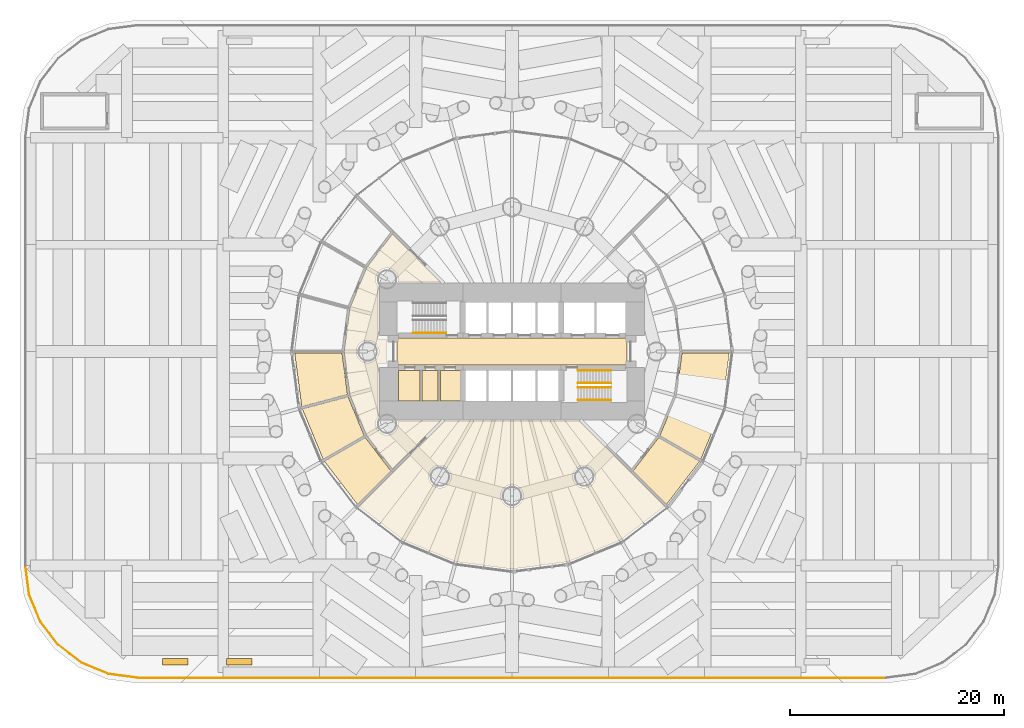
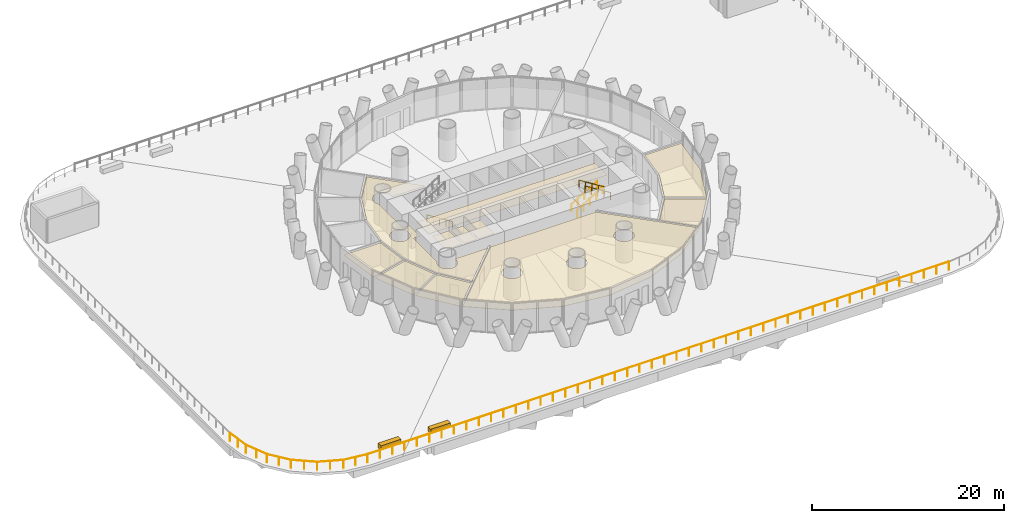
# One storey, part 17 of 19: 13 coverings, 6 railings.
"""IFC4 building model written with IfcOpenShell, lengths in metres."""

from ifc_helpers import new_model, si_unit, direction, frame, origin, origin_2d, place, context, subcontext, project, spatial, polyline, rectangle, circle, outline, extrude, material, layer, layer_set, type_object, element, save


model = new_model("IFC4")

# Units and contexts
model_context = context("Model", 3, precision=1e-05, world=origin(), true_north=direction((0.0, 1.0)))
body_context = subcontext(model_context, "Body", "Model", "MODEL_VIEW")
ifc_project = project(units=[si_unit("LENGTHUNIT", "METRE"), si_unit("AREAUNIT", "SQUARE_METRE"), si_unit("VOLUMEUNIT", "CUBIC_METRE"), si_unit("PLANEANGLEUNIT", "RADIAN"), si_unit("MASSUNIT", "GRAM", prefix="KILO")], contexts=[model_context])

# Site, building, storey
site_placement = place(None, origin())
site = spatial("IfcSite", under=ifc_project, at=site_placement, CompositionType="ELEMENT")
building_placement = place(site_placement, origin())
building = spatial("IfcBuilding", under=site, at=building_placement, Name="Qaws Media Tower", CompositionType="ELEMENT")
storey_placement = place(building_placement, frame((0.0, 0.0, 26.0)))
storey = spatial("IfcBuildingStorey", under=building, at=storey_placement, Name="L04", CompositionType="ELEMENT", Elevation=26.0)

# Coverings
ifc_material_1 = material(Name="40 perforated acoustic panels with mineral wool backing, suspended", Category="mineral fibre")
ifc_layer_1 = layer(ifc_material_1, 0.0400390625)
ifc_layer_set_1 = layer_set([ifc_layer_1], Name="Acoustic panel ceiling 40")
covering_type_1 = type_object("IfcCoveringType", Name="Acoustic panel ceiling 40", PredefinedType="CEILING", material=ifc_layer_set_1)
covering_1_placement = place(storey_placement, frame((0.0, 0.0, 2.85009765625)))
element("IfcCovering", 1, at=covering_1_placement, inside=storey, type_object=covering_type_1, Name="CL3 ceiling L04-10 Digital desk", PredefinedType="CEILING", context=body_context, shape_type="SweptSolid", body=[
    extrude(outline(polyline([(66.353515625, 43.487548828125), (74.289306640625, 35.5517578125), (70.16748046875, 32.38916015625), (65.26318359375, 30.357666015625), (60.0, 29.664794921875), (54.73681640625, 30.357666015625), (49.83251953125, 32.38916015625), (45.710693359375, 35.5517578125), (53.646484375, 43.487548828125), (66.353515625, 43.487548828125)]), holes=[polyline([(54.27392578125, 38.0341796875), (54.30078125, 38.17041015625), (54.31005859375, 38.30859375), (54.30078125, 38.447021484375), (54.27392578125, 38.5830078125), (54.229248046875, 38.71435546875), (54.16796875, 38.838623046875), (54.091064453125, 38.953857421875), (53.99951171875, 39.05810546875), (53.895263671875, 39.149658203125), (53.780029296875, 39.2265625), (53.655517578125, 39.2880859375), (53.5244140625, 39.33251953125), (53.388427734375, 39.359619140625), (53.25, 39.36865234375), (53.111572265625, 39.359619140625), (52.9755859375, 39.33251953125), (52.844482421875, 39.2880859375), (52.719970703125, 39.2265625), (52.604736328125, 39.149658203125), (52.50048828125, 39.05810546875), (52.408935546875, 38.953857421875), (52.33203125, 38.838623046875), (52.270751953125, 38.71435546875), (52.22607421875, 38.5830078125), (52.19921875, 38.447021484375), (52.18994140625, 38.30859375), (52.19921875, 38.17041015625), (52.22607421875, 38.0341796875), (52.270751953125, 37.903076171875), (52.33203125, 37.77880859375), (52.408935546875, 37.663330078125), (52.50048828125, 37.55908203125), (52.604736328125, 37.4677734375), (52.719970703125, 37.390625), (52.844482421875, 37.329345703125), (52.9755859375, 37.284912109375), (53.111572265625, 37.2578125), (53.25, 37.248779296875), (53.388427734375, 37.2578125), (53.5244140625, 37.284912109375), (53.655517578125, 37.329345703125), (53.780029296875, 37.390625), (53.895263671875, 37.4677734375), (53.99951171875, 37.55908203125), (54.091064453125, 37.663330078125), (54.16796875, 37.77880859375), (54.229248046875, 37.903076171875), (54.27392578125, 38.0341796875)]), polyline([(61.02392578125, 36.2255859375), (61.05078125, 36.361572265625), (61.06005859375, 36.5), (61.05078125, 36.638427734375), (61.02392578125, 36.7744140625), (60.979248046875, 36.905517578125), (60.91796875, 37.030029296875), (60.841064453125, 37.145263671875), (60.74951171875, 37.24951171875), (60.645263671875, 37.341064453125), (60.530029296875, 37.41796875), (60.405517578125, 37.479248046875), (60.2744140625, 37.52392578125), (60.138427734375, 37.55078125), (60.0, 37.56005859375), (59.861572265625, 37.55078125), (59.7255859375, 37.52392578125), (59.594482421875, 37.479248046875), (59.469970703125, 37.41796875), (59.354736328125, 37.341064453125), (59.25048828125, 37.24951171875), (59.158935546875, 37.145263671875), (59.08203125, 37.030029296875), (59.020751953125, 36.905517578125), (58.97607421875, 36.7744140625), (58.94921875, 36.638427734375), (58.93994140625, 36.5), (58.94921875, 36.361572265625), (58.97607421875, 36.2255859375), (59.020751953125, 36.094482421875), (59.08203125, 35.969970703125), (59.158935546875, 35.854736328125), (59.25048828125, 35.75048828125), (59.354736328125, 35.658935546875), (59.469970703125, 35.58203125), (59.594482421875, 35.520751953125), (59.7255859375, 35.47607421875), (59.861572265625, 35.44921875), (60.0, 35.43994140625), (60.138427734375, 35.44921875), (60.2744140625, 35.47607421875), (60.405517578125, 35.520751953125), (60.530029296875, 35.58203125), (60.645263671875, 35.658935546875), (60.74951171875, 35.75048828125), (60.841064453125, 35.854736328125), (60.91796875, 35.969970703125), (60.979248046875, 36.094482421875), (61.02392578125, 36.2255859375)]), polyline([(67.729248046875, 37.903076171875), (67.77392578125, 38.0341796875), (67.80078125, 38.17041015625), (67.81005859375, 38.30859375), (67.80078125, 38.447021484375), (67.77392578125, 38.5830078125), (67.729248046875, 38.71435546875), (67.66796875, 38.838623046875), (67.591064453125, 38.953857421875), (67.49951171875, 39.05810546875), (67.395263671875, 39.149658203125), (67.280029296875, 39.2265625), (67.155517578125, 39.2880859375), (67.0244140625, 39.33251953125), (66.888427734375, 39.359619140625), (66.75, 39.36865234375), (66.611572265625, 39.359619140625), (66.4755859375, 39.33251953125), (66.344482421875, 39.2880859375), (66.219970703125, 39.2265625), (66.104736328125, 39.149658203125), (66.00048828125, 39.05810546875), (65.908935546875, 38.953857421875), (65.83203125, 38.838623046875), (65.770751953125, 38.71435546875), (65.72607421875, 38.5830078125), (65.69921875, 38.447021484375), (65.68994140625, 38.30859375), (65.69921875, 38.17041015625), (65.72607421875, 38.0341796875), (65.770751953125, 37.903076171875), (65.83203125, 37.77880859375), (65.908935546875, 37.663330078125), (66.00048828125, 37.55908203125), (66.104736328125, 37.4677734375), (66.219970703125, 37.390625), (66.344482421875, 37.329345703125), (66.4755859375, 37.284912109375), (66.611572265625, 37.2578125), (66.75, 37.248779296875), (66.888427734375, 37.2578125), (67.0244140625, 37.284912109375), (67.155517578125, 37.329345703125), (67.280029296875, 37.390625), (67.395263671875, 37.4677734375), (67.49951171875, 37.55908203125), (67.591064453125, 37.663330078125), (67.66796875, 37.77880859375), (67.729248046875, 37.903076171875)])]), origin(), (0.0, 0.0, 1.0), 0.039794921875),
])
covering_2_placement = place(storey_placement, frame((0.0, 0.0, 2.85009765625)))
element("IfcCovering", 2, at=covering_2_placement, inside=storey, type_object=covering_type_1, Name="CL3 ceiling L04-12 Newsroom cafe", PredefinedType="CEILING", context=body_context, shape_type="SweptSolid", body=[
    extrude(outline(polyline([(79.642333984375, 44.73681640625), (77.654296875, 39.937255859375), (73.824951171875, 42.148193359375), (75.37109375, 45.88134765625), (75.898681640625, 49.887451171875), (80.3203125, 49.887451171875), (79.642333984375, 44.73681640625)])), origin(), (0.0, 0.0, 1.0), 0.039794921875),
])

# Railing
ifc_material_2 = material(Name="Stainless steel and glass guard", Category="steel")
railing_type_1 = type_object("IfcRailingType", Name="Balcony guard 1100", PredefinedType="GUARDRAIL", material=ifc_material_2)
railing_1_placement = place(storey_placement, frame((14.5, 30.0, 0.0)))
element("IfcRailing", 3, at=railing_1_placement, inside=storey, type_object=railing_type_1, Name="GR1 roof garden guard 4", PredefinedType="GUARDRAIL", context=body_context, shape_type="SweptSolid", body=[
    extrude(circle(Radius=0.02392578125, at=origin_2d()), frame((0.0, 0.0, 1.076171875), z_axis=(0.130489073753, -0.991449747406, 0.0), x_axis=(0.991449747406, 0.130489073753, 0.0)), (0.0, 0.0, 1.0), 2.740966796875),
    extrude(circle(Radius=0.02392578125, at=origin_2d()), frame((0.357666015625, -2.717529296875, 1.076171875), z_axis=(0.382711006514, -0.923868110443, 0.0), x_axis=(0.923868110443, 0.382711006514, 0.0)), (0.0, 0.0, 1.0), 2.7412109375),
    extrude(circle(Radius=0.02392578125, at=origin_2d()), frame((1.40673828125, -5.25, 1.076171875), z_axis=(0.608784891166, -0.793335336593, 0.0), x_axis=(0.793335336593, 0.608784891166, 0.0)), (0.0, 0.0, 1.0), 2.740966796875),
    extrude(circle(Radius=0.02392578125, at=origin_2d()), frame((3.075439453125, -7.424560546875, 1.076171875), z_axis=(0.793335336593, -0.608784891166, 0.0), x_axis=(0.608784891166, 0.793335336593, 0.0)), (0.0, 0.0, 1.0), 2.740966796875),
    extrude(circle(Radius=0.02392578125, at=origin_2d()), frame((5.25, -9.09326171875, 1.076171875), z_axis=(0.923868110443, -0.382711006514, 0.0), x_axis=(0.382711006514, 0.923868110443, 0.0)), (0.0, 0.0, 1.0), 2.7412109375),
    extrude(circle(Radius=0.02392578125, at=origin_2d()), frame((7.782470703125, -10.142333984375, 1.076171875), z_axis=(0.991449747406, -0.130489073753, 0.0), x_axis=(0.130489073753, 0.991449747406, 0.0)), (0.0, 0.0, 1.0), 2.740966796875),
    extrude(circle(Radius=0.02392578125, at=origin_2d()), frame((10.5, -10.5, 1.076171875), z_axis=(1.0, 0.0, 0.0), x_axis=(0.0, 1.0, 0.0)), (0.0, 0.0, 1.0), 70.0),
    extrude(circle(Radius=0.02099609375, at=origin_2d()), origin(), (0.0, 0.0, 1.0), 1.052001953125),
    extrude(circle(Radius=0.02099609375, at=origin_2d()), frame((0.1787109375, -1.35888671875, 0.0)), (0.0, 0.0, 1.0), 1.052001953125),
    extrude(circle(Radius=0.02099609375, at=origin_2d()), frame((0.357666015625, -2.717529296875, 0.0)), (0.0, 0.0, 1.0), 1.052001953125),
    extrude(circle(Radius=0.02099609375, at=origin_2d()), frame((0.88232421875, -3.98388671875, 0.0)), (0.0, 0.0, 1.0), 1.052001953125),
    extrude(circle(Radius=0.02099609375, at=origin_2d()), frame((1.40673828125, -5.25, 0.0)), (0.0, 0.0, 1.0), 1.052001953125),
    extrude(circle(Radius=0.02099609375, at=origin_2d()), frame((2.2412109375, -6.33740234375, 0.0)), (0.0, 0.0, 1.0), 1.052001953125),
    extrude(circle(Radius=0.02099609375, at=origin_2d()), frame((3.075439453125, -7.424560546875, 0.0)), (0.0, 0.0, 1.0), 1.052001953125),
    extrude(circle(Radius=0.02099609375, at=origin_2d()), frame((4.16259765625, -8.2587890625, 0.0)), (0.0, 0.0, 1.0), 1.052001953125),
    extrude(circle(Radius=0.02099609375, at=origin_2d()), frame((5.25, -9.09326171875, 0.0)), (0.0, 0.0, 1.0), 1.052001953125),
    extrude(circle(Radius=0.02099609375, at=origin_2d()), frame((6.51611328125, -9.61767578125, 0.0)), (0.0, 0.0, 1.0), 1.052001953125),
    extrude(circle(Radius=0.02099609375, at=origin_2d()), frame((7.782470703125, -10.142333984375, 0.0)), (0.0, 0.0, 1.0), 1.052001953125),
    extrude(circle(Radius=0.02099609375, at=origin_2d()), frame((9.14111328125, -10.3212890625, 0.0)), (0.0, 0.0, 1.0), 1.052001953125),
    extrude(circle(Radius=0.02099609375, at=origin_2d()), frame((10.5, -10.5, 0.0)), (0.0, 0.0, 1.0), 1.052001953125),
    extrude(circle(Radius=0.02099609375, at=origin_2d()), frame((11.9892578125, -10.5, 0.0)), (0.0, 0.0, 1.0), 1.052001953125),
    extrude(circle(Radius=0.02099609375, at=origin_2d()), frame((13.478759765625, -10.5, 0.0)), (0.0, 0.0, 1.0), 1.052001953125),
    extrude(circle(Radius=0.02099609375, at=origin_2d()), frame((14.968017578125, -10.5, 0.0)), (0.0, 0.0, 1.0), 1.052001953125),
    extrude(circle(Radius=0.02099609375, at=origin_2d()), frame((16.45751953125, -10.5, 0.0)), (0.0, 0.0, 1.0), 1.052001953125),
    extrude(circle(Radius=0.02099609375, at=origin_2d()), frame((17.94677734375, -10.5, 0.0)), (0.0, 0.0, 1.0), 1.052001953125),
    extrude(circle(Radius=0.02099609375, at=origin_2d()), frame((19.436279296875, -10.5, 0.0)), (0.0, 0.0, 1.0), 1.052001953125),
    extrude(circle(Radius=0.02099609375, at=origin_2d()), frame((20.925537109375, -10.5, 0.0)), (0.0, 0.0, 1.0), 1.052001953125),
    extrude(circle(Radius=0.02099609375, at=origin_2d()), frame((22.414794921875, -10.5, 0.0)), (0.0, 0.0, 1.0), 1.052001953125),
    extrude(circle(Radius=0.02099609375, at=origin_2d()), frame((23.904296875, -10.5, 0.0)), (0.0, 0.0, 1.0), 1.052001953125),
    extrude(circle(Radius=0.02099609375, at=origin_2d()), frame((25.3935546875, -10.5, 0.0)), (0.0, 0.0, 1.0), 1.052001953125),
    extrude(circle(Radius=0.02099609375, at=origin_2d()), frame((26.883056640625, -10.5, 0.0)), (0.0, 0.0, 1.0), 1.052001953125),
    extrude(circle(Radius=0.02099609375, at=origin_2d()), frame((28.372314453125, -10.5, 0.0)), (0.0, 0.0, 1.0), 1.052001953125),
    extrude(circle(Radius=0.02099609375, at=origin_2d()), frame((29.86181640625, -10.5, 0.0)), (0.0, 0.0, 1.0), 1.052001953125),
    extrude(circle(Radius=0.02099609375, at=origin_2d()), frame((31.35107421875, -10.5, 0.0)), (0.0, 0.0, 1.0), 1.052001953125),
    extrude(circle(Radius=0.02099609375, at=origin_2d()), frame((32.84033203125, -10.5, 0.0)), (0.0, 0.0, 1.0), 1.052001953125),
    extrude(circle(Radius=0.02099609375, at=origin_2d()), frame((34.329833984375, -10.5, 0.0)), (0.0, 0.0, 1.0), 1.052001953125),
    extrude(circle(Radius=0.02099609375, at=origin_2d()), frame((35.819091796875, -10.5, 0.0)), (0.0, 0.0, 1.0), 1.052001953125),
    extrude(circle(Radius=0.02099609375, at=origin_2d()), frame((37.30859375, -10.5, 0.0)), (0.0, 0.0, 1.0), 1.052001953125),
    extrude(circle(Radius=0.02099609375, at=origin_2d()), frame((38.7978515625, -10.5, 0.0)), (0.0, 0.0, 1.0), 1.052001953125),
    extrude(circle(Radius=0.02099609375, at=origin_2d()), frame((40.287353515625, -10.5, 0.0)), (0.0, 0.0, 1.0), 1.052001953125),
    extrude(circle(Radius=0.02099609375, at=origin_2d()), frame((41.776611328125, -10.5, 0.0)), (0.0, 0.0, 1.0), 1.052001953125),
    extrude(circle(Radius=0.02099609375, at=origin_2d()), frame((43.265869140625, -10.5, 0.0)), (0.0, 0.0, 1.0), 1.052001953125),
    extrude(circle(Radius=0.02099609375, at=origin_2d()), frame((44.75537109375, -10.5, 0.0)), (0.0, 0.0, 1.0), 1.052001953125),
    extrude(circle(Radius=0.02099609375, at=origin_2d()), frame((46.24462890625, -10.5, 0.0)), (0.0, 0.0, 1.0), 1.052001953125),
    extrude(circle(Radius=0.02099609375, at=origin_2d()), frame((47.734130859375, -10.5, 0.0)), (0.0, 0.0, 1.0), 1.052001953125),
    extrude(circle(Radius=0.02099609375, at=origin_2d()), frame((49.223388671875, -10.5, 0.0)), (0.0, 0.0, 1.0), 1.052001953125),
    extrude(circle(Radius=0.02099609375, at=origin_2d()), frame((50.712646484375, -10.5, 0.0)), (0.0, 0.0, 1.0), 1.052001953125),
    extrude(circle(Radius=0.02099609375, at=origin_2d()), frame((52.2021484375, -10.5, 0.0)), (0.0, 0.0, 1.0), 1.052001953125),
    extrude(circle(Radius=0.02099609375, at=origin_2d()), frame((53.69140625, -10.5, 0.0)), (0.0, 0.0, 1.0), 1.052001953125),
    extrude(circle(Radius=0.02099609375, at=origin_2d()), frame((55.180908203125, -10.5, 0.0)), (0.0, 0.0, 1.0), 1.052001953125),
    extrude(circle(Radius=0.02099609375, at=origin_2d()), frame((56.670166015625, -10.5, 0.0)), (0.0, 0.0, 1.0), 1.052001953125),
    extrude(circle(Radius=0.02099609375, at=origin_2d()), frame((58.15966796875, -10.5, 0.0)), (0.0, 0.0, 1.0), 1.052001953125),
    extrude(circle(Radius=0.02099609375, at=origin_2d()), frame((59.64892578125, -10.5, 0.0)), (0.0, 0.0, 1.0), 1.052001953125),
    extrude(circle(Radius=0.02099609375, at=origin_2d()), frame((61.13818359375, -10.5, 0.0)), (0.0, 0.0, 1.0), 1.052001953125),
    extrude(circle(Radius=0.02099609375, at=origin_2d()), frame((62.627685546875, -10.5, 0.0)), (0.0, 0.0, 1.0), 1.052001953125),
    extrude(circle(Radius=0.02099609375, at=origin_2d()), frame((64.116943359375, -10.5, 0.0)), (0.0, 0.0, 1.0), 1.052001953125),
    extrude(circle(Radius=0.02099609375, at=origin_2d()), frame((65.6064453125, -10.5, 0.0)), (0.0, 0.0, 1.0), 1.052001953125),
    extrude(circle(Radius=0.02099609375, at=origin_2d()), frame((67.095703125, -10.5, 0.0)), (0.0, 0.0, 1.0), 1.052001953125),
    extrude(circle(Radius=0.02099609375, at=origin_2d()), frame((68.585205078125, -10.5, 0.0)), (0.0, 0.0, 1.0), 1.052001953125),
    extrude(circle(Radius=0.02099609375, at=origin_2d()), frame((70.074462890625, -10.5, 0.0)), (0.0, 0.0, 1.0), 1.052001953125),
    extrude(circle(Radius=0.02099609375, at=origin_2d()), frame((71.563720703125, -10.5, 0.0)), (0.0, 0.0, 1.0), 1.052001953125),
    extrude(circle(Radius=0.02099609375, at=origin_2d()), frame((73.05322265625, -10.5, 0.0)), (0.0, 0.0, 1.0), 1.052001953125),
    extrude(circle(Radius=0.02099609375, at=origin_2d()), frame((74.54248046875, -10.5, 0.0)), (0.0, 0.0, 1.0), 1.052001953125),
    extrude(circle(Radius=0.02099609375, at=origin_2d()), frame((76.031982421875, -10.5, 0.0)), (0.0, 0.0, 1.0), 1.052001953125),
    extrude(circle(Radius=0.02099609375, at=origin_2d()), frame((77.521240234375, -10.5, 0.0)), (0.0, 0.0, 1.0), 1.052001953125),
    extrude(circle(Radius=0.02099609375, at=origin_2d()), frame((79.0107421875, -10.5, 0.0)), (0.0, 0.0, 1.0), 1.052001953125),
    extrude(circle(Radius=0.02099609375, at=origin_2d()), frame((80.5, -10.5, 0.0)), (0.0, 0.0, 1.0), 1.052001953125),
])

# Coverings
ifc_material_3 = material(Name="600 x 600 mineral fibre tiles in exposed grid, suspended", Category="mineral fibre")
ifc_layer_2 = layer(ifc_material_3, 0.02001953125)
ifc_layer_set_2 = layer_set([ifc_layer_2], Name="Mineral fibre tile ceiling 20")
covering_type_2 = type_object("IfcCoveringType", Name="Mineral fibre tile ceiling 20", PredefinedType="CEILING", material=ifc_layer_set_2)
covering_3_placement = place(storey_placement, frame((0.0, 0.0, 2.85009765625)))
element("IfcCovering", 4, at=covering_3_placement, inside=storey, type_object=covering_type_2, Name="CL1 ceiling L04-01 Corridor", PredefinedType="CEILING", context=body_context, shape_type="SweptSolid", body=[
    extrude(outline(polyline([(44.3134765625, 50.0), (44.847900390625, 54.06005859375), (46.4150390625, 57.84326171875), (48.8388671875, 61.001953125), (53.328369140625, 56.512451171875), (49.33984375, 56.512451171875), (49.359619140625, 56.611572265625), (49.36865234375, 56.75), (49.359619140625, 56.888427734375), (49.33251953125, 57.0244140625), (49.2880859375, 57.155517578125), (49.2265625, 57.280029296875), (49.149658203125, 57.395263671875), (49.05810546875, 57.49951171875), (48.953857421875, 57.591064453125), (48.838623046875, 57.66796875), (48.71435546875, 57.729248046875), (48.5830078125, 57.77392578125), (48.447021484375, 57.80078125), (48.30859375, 57.81005859375), (48.17041015625, 57.80078125), (48.0341796875, 57.77392578125), (47.903076171875, 57.729248046875), (47.77880859375, 57.66796875), (47.663330078125, 57.591064453125), (47.55908203125, 57.49951171875), (47.4677734375, 57.395263671875), (47.390625, 57.280029296875), (47.329345703125, 57.155517578125), (47.284912109375, 57.0244140625), (47.2578125, 56.888427734375), (47.248779296875, 56.75), (47.2578125, 56.611572265625), (47.284912109375, 56.4755859375), (47.329345703125, 56.344482421875), (47.390625, 56.219970703125), (47.4677734375, 56.104736328125), (47.487548828125, 56.08203125), (47.487548828125, 51.137451171875), (48.28759765625, 51.137451171875), (48.28759765625, 48.862548828125), (47.487548828125, 48.862548828125), (47.487548828125, 43.91796875), (47.4677734375, 43.895263671875), (47.390625, 43.780029296875), (47.329345703125, 43.655517578125), (47.284912109375, 43.5244140625), (47.2578125, 43.388427734375), (47.248779296875, 43.25), (47.2578125, 43.111572265625), (47.284912109375, 42.9755859375), (47.329345703125, 42.844482421875), (47.390625, 42.719970703125), (47.4677734375, 42.604736328125), (47.55908203125, 42.50048828125), (47.663330078125, 42.408935546875), (47.77880859375, 42.33203125), (47.903076171875, 42.270751953125), (48.0341796875, 42.22607421875), (48.17041015625, 42.19921875), (48.30859375, 42.18994140625), (48.447021484375, 42.19921875), (48.5830078125, 42.22607421875), (48.71435546875, 42.270751953125), (48.838623046875, 42.33203125), (48.953857421875, 42.408935546875), (49.05810546875, 42.50048828125), (49.149658203125, 42.604736328125), (49.2265625, 42.719970703125), (49.2880859375, 42.844482421875), (49.33251953125, 42.9755859375), (49.359619140625, 43.111572265625), (49.36865234375, 43.25), (49.359619140625, 43.388427734375), (49.33984375, 43.487548828125), (53.328369140625, 43.487548828125), (48.8388671875, 38.998046875), (46.4150390625, 42.15673828125), (44.847900390625, 45.93994140625), (44.3134765625, 50.0)]), holes=[polyline([(47.479248046875, 49.594482421875), (47.52392578125, 49.7255859375), (47.55078125, 49.861572265625), (47.56005859375, 50.0), (47.55078125, 50.138427734375), (47.52392578125, 50.2744140625), (47.479248046875, 50.405517578125), (47.41796875, 50.530029296875), (47.341064453125, 50.645263671875), (47.24951171875, 50.74951171875), (47.145263671875, 50.841064453125), (47.030029296875, 50.91796875), (46.905517578125, 50.979248046875), (46.7744140625, 51.02392578125), (46.638427734375, 51.05078125), (46.5, 51.06005859375), (46.361572265625, 51.05078125), (46.2255859375, 51.02392578125), (46.094482421875, 50.979248046875), (45.969970703125, 50.91796875), (45.854736328125, 50.841064453125), (45.75048828125, 50.74951171875), (45.658935546875, 50.645263671875), (45.58203125, 50.530029296875), (45.520751953125, 50.405517578125), (45.47607421875, 50.2744140625), (45.44921875, 50.138427734375), (45.43994140625, 50.0), (45.44921875, 49.861572265625), (45.47607421875, 49.7255859375), (45.520751953125, 49.594482421875), (45.58203125, 49.469970703125), (45.658935546875, 49.354736328125), (45.75048828125, 49.25048828125), (45.854736328125, 49.158935546875), (45.969970703125, 49.08203125), (46.094482421875, 49.020751953125), (46.2255859375, 48.97607421875), (46.361572265625, 48.94921875), (46.5, 48.93994140625), (46.638427734375, 48.94921875), (46.7744140625, 48.97607421875), (46.905517578125, 49.020751953125), (47.030029296875, 49.08203125), (47.145263671875, 49.158935546875), (47.24951171875, 49.25048828125), (47.341064453125, 49.354736328125), (47.41796875, 49.469970703125), (47.479248046875, 49.594482421875)])]), origin(), (0.0, 0.0, 1.0), 0.02001953125),
])
covering_4_placement = place(storey_placement, frame((0.0, 0.0, 2.85009765625)))
element("IfcCovering", 5, at=covering_4_placement, inside=storey, type_object=covering_type_2, Name="CL1 ceiling L04-08 Gents toilets", PredefinedType="CEILING", context=body_context, shape_type="SweptSolid", body=[
    extrude(outline(polyline([(40.401123046875, 44.632080078125), (44.672119140625, 45.776611328125), (46.175048828125, 42.148193359375), (42.345703125, 39.937255859375), (40.401123046875, 44.632080078125)])), origin(), (0.0, 0.0, 1.0), 0.02001953125),
])
covering_5_placement = place(storey_placement, frame((0.0, 0.0, 2.85009765625)))
element("IfcCovering", 6, at=covering_5_placement, inside=storey, type_object=covering_type_2, Name="CL1 ceiling L04-09 Ladies toilets", PredefinedType="CEILING", context=body_context, shape_type="SweptSolid", body=[
    extrude(outline(polyline([(42.458251953125, 39.742431640625), (46.28759765625, 41.953125), (48.678466796875, 38.83740234375), (45.5517578125, 35.710693359375), (42.458251953125, 39.742431640625)])), origin(), (0.0, 0.0, 1.0), 0.02001953125),
])
covering_6_placement = place(storey_placement, frame((0.0, 0.0, 2.85009765625)))
element("IfcCovering", 7, at=covering_6_placement, inside=storey, type_object=covering_type_2, Name="CL1 ceiling L04-11 Roof access room", PredefinedType="CEILING", context=body_context, shape_type="SweptSolid", body=[
    extrude(outline(polyline([(74.4482421875, 35.710693359375), (71.321533203125, 38.83740234375), (73.71240234375, 41.953125), (77.541748046875, 39.742431640625), (74.4482421875, 35.710693359375)])), origin(), (0.0, 0.0, 1.0), 0.02001953125),
])
ifc_material_4 = material(Name="Precast concrete planter with trailing planting", Category="concrete")
ifc_layer_3 = layer(ifc_material_4, 0.60009765625)
ifc_layer_set_3 = layer_set([ifc_layer_3], Name="Planter 2400x600")
covering_type_3 = type_object("IfcCoveringType", Name="Planter 2400x600", PredefinedType="USERDEFINED", material=ifc_layer_set_3)
for number, where, z_axis, x_axis, name in (
    (8, (28.5, 21.0, 0.0), (0.0, 0.0, 1.0), (1.0, 0.0, 0.0), "PL1 roof garden planter 1"),
    (9, (34.5, 21.0, 0.0), (0.0, 0.0, 1.0), (1.0, 0.0, 0.0), "PL1 roof garden planter 2"),
):
    element("IfcCovering", number, at=place(storey_placement, frame(where, z_axis=z_axis, x_axis=x_axis)), inside=storey, type_object=covering_type_3, Name=name, ObjectType="PLANTER", PredefinedType="USERDEFINED", context=body_context, shape_type="SweptSolid", body=[
        extrude(rectangle(XDim=2.39990234375, YDim=0.60009765625, at=origin_2d()), origin(), (0.0, 0.0, 1.0), 0.60009765625),
    ])
ifc_material_5 = material(Name="Two layers 12.5 moisture-resistant plasterboard on suspended metal furring", Category="gypsum")
ifc_layer_4 = layer(ifc_material_5, 0.02490234375)
ifc_layer_set_4 = layer_set([ifc_layer_4], Name="Plasterboard ceiling 25")
covering_type_4 = type_object("IfcCoveringType", Name="Plasterboard ceiling 25", PredefinedType="CEILING", material=ifc_layer_set_4)
covering_7_placement = place(storey_placement, frame((0.0, 0.0, 2.85009765625)))
element("IfcCovering", 10, at=covering_7_placement, inside=storey, type_object=covering_type_4, Name="CL2 ceiling L04-C01 Lift lobby", PredefinedType="CEILING", context=body_context, shape_type="SweptSolid", body=[
    extrude(outline(polyline([(49.25, 48.75), (49.25, 51.25), (70.75, 51.25), (70.75, 48.75), (49.25, 48.75)])), origin(), (0.0, 0.0, 1.0), 0.02490234375),
])
covering_8_placement = place(storey_placement, frame((0.0, 0.0, 2.85009765625)))
element("IfcCovering", 11, at=covering_8_placement, inside=storey, type_object=covering_type_4, Name="CL2 ceiling L04-07 Editor's office", PredefinedType="CEILING", context=body_context, shape_type="SweptSolid", body=[
    extrude(outline(polyline([(39.6796875, 49.887451171875), (44.101318359375, 49.887451171875), (44.614013671875, 45.993896484375), (40.343017578125, 44.849365234375), (39.6796875, 49.887451171875)])), origin(), (0.0, 0.0, 1.0), 0.02490234375),
])
covering_9_placement = place(storey_placement, frame((0.0, 0.0, 2.85009765625)))
element("IfcCovering", 12, at=covering_9_placement, inside=storey, type_object=covering_type_4, Name="CL2 ceiling L04-C04 WC male", PredefinedType="CEILING", context=body_context, shape_type="SweptSolid", body=[
    extrude(outline(polyline([(49.39990234375, 45.39990234375), (49.39990234375, 48.25), (51.39990234375, 48.25), (51.39990234375, 45.39990234375), (49.39990234375, 45.39990234375)])), origin(), (0.0, 0.0, 1.0), 0.02490234375),
])
covering_10_placement = place(storey_placement, frame((0.0, 0.0, 2.85009765625)))
element("IfcCovering", 13, at=covering_10_placement, inside=storey, type_object=covering_type_4, Name="CL2 ceiling L04-C05 WC female", PredefinedType="CEILING", context=body_context, shape_type="SweptSolid", body=[
    extrude(outline(polyline([(51.60009765625, 45.39990234375), (51.60009765625, 48.25), (53.10009765625, 48.25), (53.10009765625, 45.39990234375), (51.60009765625, 45.39990234375)])), origin(), (0.0, 0.0, 1.0), 0.02490234375),
])
covering_11_placement = place(storey_placement, frame((0.0, 0.0, 2.85009765625)))
element("IfcCovering", 14, at=covering_11_placement, inside=storey, type_object=covering_type_4, Name="CL2 ceiling L04-C06 Accessible WC", PredefinedType="CEILING", context=body_context, shape_type="SweptSolid", body=[
    extrude(outline(polyline([(53.300048828125, 45.39990234375), (53.300048828125, 48.25), (55.199951171875, 48.25), (55.199951171875, 45.39990234375), (53.300048828125, 45.39990234375)])), origin(), (0.0, 0.0, 1.0), 0.02490234375),
])

# Railings
ifc_material_6 = material(Name="Steel tube handrail", Category="steel")
railing_type_2 = type_object("IfcRailingType", Name="Stair handrail 900", PredefinedType="HANDRAIL", material=ifc_material_6)
railing_2_placement = place(storey_placement, frame((53.840087890625, 51.75, 0.175048828125)))
element("IfcRailing", 15, at=railing_2_placement, inside=storey, type_object=railing_type_2, Name="HR1 handrail S1 flight 1 L04", PredefinedType="HANDRAIL", context=body_context, shape_type="SweptSolid", body=[
    extrude(circle(Radius=0.02392578125, at=origin_2d()), frame((0.0, 0.0, 0.8759765625), z_axis=(-0.847998304005, 0.0, 0.529998940003), x_axis=(0.0, -1.0, 0.0)), (0.0, 0.0, 1.0), 3.632080078125),
    extrude(circle(Radius=0.02099609375, at=origin_2d()), origin(), (0.0, 0.0, 1.0), 0.851806640625),
    extrude(circle(Radius=0.02099609375, at=origin_2d()), frame((-0.77001953125, 0.0, 0.481201171875)), (0.0, 0.0, 1.0), 0.851806640625),
    extrude(circle(Radius=0.02099609375, at=origin_2d()), frame((-1.5400390625, 0.0, 0.96240234375)), (0.0, 0.0, 1.0), 0.851806640625),
    extrude(circle(Radius=0.02099609375, at=origin_2d()), frame((-2.31005859375, 0.0, 1.44384765625)), (0.0, 0.0, 1.0), 0.851806640625),
    extrude(circle(Radius=0.02099609375, at=origin_2d()), frame((-3.080078125, 0.0, 1.925048828125)), (0.0, 0.0, 1.0), 0.851806640625),
])
for number, where, name in (
    (16, (66.159912109375, 48.25, 0.175048828125), "HR1 handrail S2 flight 1 L04"),
    (17, (66.159912109375, 47.0400390625, 0.175048828125), "HR1 handrail S2 flight 1 L04"),
):
    element("IfcRailing", number, at=place(storey_placement, frame(where)), inside=storey, type_object=railing_type_2, Name=name, PredefinedType="HANDRAIL", context=body_context, shape_type="SweptSolid", body=[
        extrude(circle(Radius=0.02392578125, at=origin_2d()), frame((0.0, 0.0, 0.8759765625), z_axis=(0.847998304005, 0.0, 0.529998940003), x_axis=(0.0, 1.0, 0.0)), (0.0, 0.0, 1.0), 3.632080078125),
        extrude(circle(Radius=0.02099609375, at=origin_2d()), origin(), (0.0, 0.0, 1.0), 0.851806640625),
        extrude(circle(Radius=0.02099609375, at=origin_2d()), frame((0.77001953125, 0.0, 0.481201171875)), (0.0, 0.0, 1.0), 0.851806640625),
        extrude(circle(Radius=0.02099609375, at=origin_2d()), frame((1.5400390625, 0.0, 0.96240234375)), (0.0, 0.0, 1.0), 0.851806640625),
        extrude(circle(Radius=0.02099609375, at=origin_2d()), frame((2.31005859375, 0.0, 1.44384765625)), (0.0, 0.0, 1.0), 0.851806640625),
        extrude(circle(Radius=0.02099609375, at=origin_2d()), frame((3.080078125, 0.0, 1.925048828125)), (0.0, 0.0, 1.0), 0.851806640625),
    ])
for number, where, name in (
    (18, (69.239990234375, 45.449951171875, 2.27490234375), "HR1 handrail S2 flight 2 L04"),
    (19, (69.239990234375, 46.659912109375, 2.27490234375), "HR1 handrail S2 flight 2 L04"),
):
    element("IfcRailing", number, at=place(storey_placement, frame(where)), inside=storey, type_object=railing_type_2, Name=name, PredefinedType="HANDRAIL", context=body_context, shape_type="SweptSolid", body=[
        extrude(circle(Radius=0.02392578125, at=origin_2d()), frame((0.0, 0.0, 0.8759765625), z_axis=(-0.847998304005, 0.0, 0.529998940003), x_axis=(0.0, -1.0, 0.0)), (0.0, 0.0, 1.0), 3.632080078125),
        extrude(circle(Radius=0.02099609375, at=origin_2d()), origin(), (0.0, 0.0, 1.0), 0.851806640625),
        extrude(circle(Radius=0.02099609375, at=origin_2d()), frame((-0.77001953125, 0.0, 0.481201171875)), (0.0, 0.0, 1.0), 0.851806640625),
        extrude(circle(Radius=0.02099609375, at=origin_2d()), frame((-1.5400390625, 0.0, 0.96240234375)), (0.0, 0.0, 1.0), 0.851806640625),
        extrude(circle(Radius=0.02099609375, at=origin_2d()), frame((-2.31005859375, 0.0, 1.44384765625)), (0.0, 0.0, 1.0), 0.851806640625),
        extrude(circle(Radius=0.02099609375, at=origin_2d()), frame((-3.080078125, 0.0, 1.925048828125)), (0.0, 0.0, 1.0), 0.851806640625),
    ])

save(model, "model.ifc")
